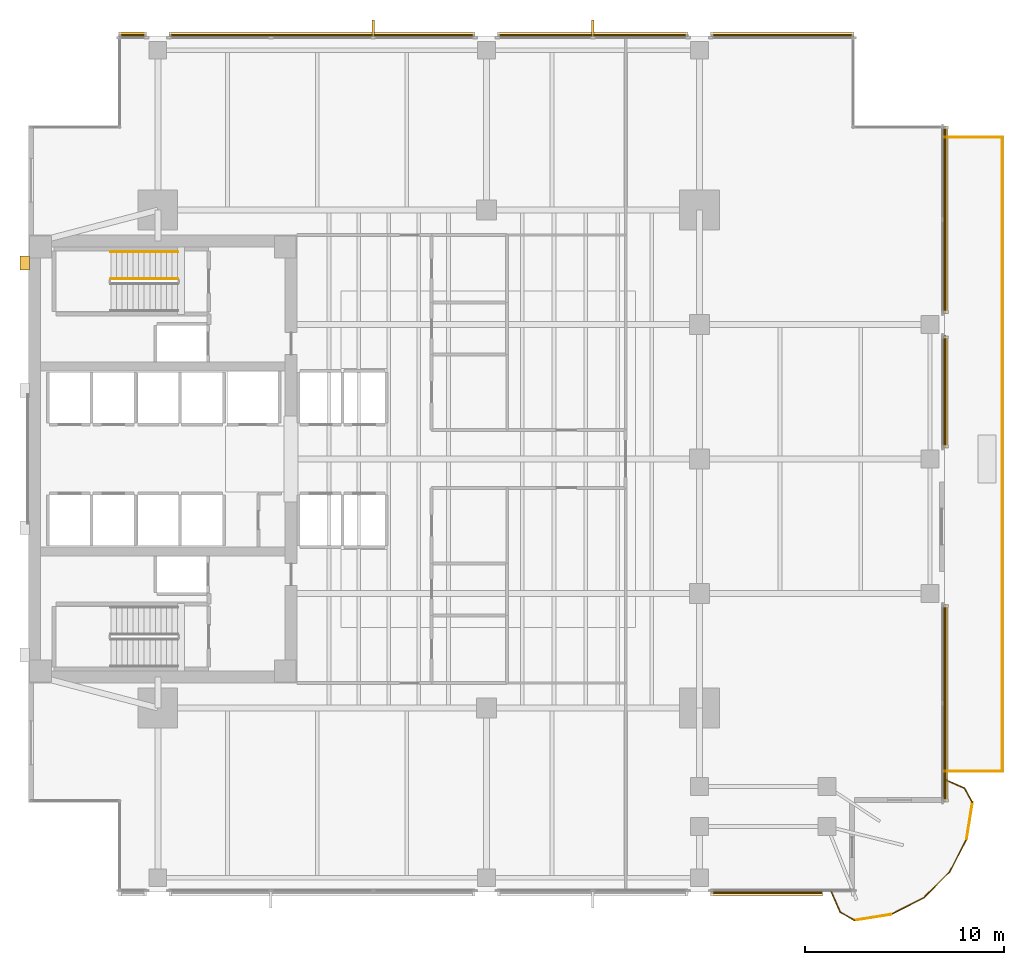
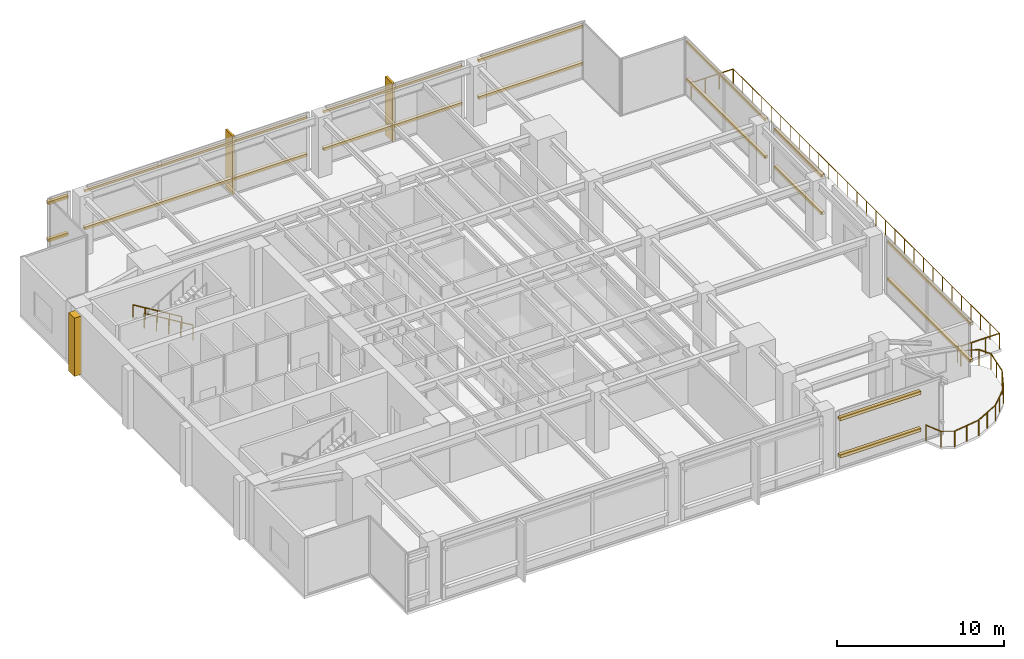
# One storey, part 14 of 14: 19 coverings, 16 shading devices, 14 railings.
"""IFC4 building model written with IfcOpenShell, lengths in metres."""

from ifc_helpers import new_model, si_unit, direction, frame, origin, origin_2d, place, context, subcontext, project, spatial, polyline, rectangle, circle, outline, extrude, material, layer, layer_set, material_profile, profile_set, type_object, element, save


model = new_model("IFC4")

# Units and contexts
model_context = context("Model", 3, precision=1e-05, world=origin(), true_north=direction((0.0, 1.0)))
body_context = subcontext(model_context, "Body", "Model", "MODEL_VIEW")
ifc_project = project(units=[si_unit("LENGTHUNIT", "METRE"), si_unit("AREAUNIT", "SQUARE_METRE"), si_unit("VOLUMEUNIT", "CUBIC_METRE"), si_unit("PLANEANGLEUNIT", "RADIAN"), si_unit("MASSUNIT", "GRAM", prefix="KILO")], contexts=[model_context])

# Site, building, storey
site_placement = place(None, origin())
site = spatial("IfcSite", under=ifc_project, at=site_placement, CompositionType="ELEMENT")
building_placement = place(site_placement, origin())
building = spatial("IfcBuilding", under=site, at=building_placement, Name="Kinhvarn Gate Tower", CompositionType="ELEMENT")
storey_placement = place(building_placement, frame((0.0, 0.0, 97.85009765625)))
storey = spatial("IfcBuildingStorey", under=building, at=storey_placement, Name="L25", CompositionType="ELEMENT", Elevation=97.85009765625)

# Coverings
ifc_material_1 = material(Name="Fired architectural terracotta", Category="masonry")
ifc_layer_1 = layer(ifc_material_1, 0.239990234375)
ifc_layer_set_1 = layer_set([ifc_layer_1], Name="Fired architectural terracotta")
covering_type_1 = type_object("IfcCoveringType", Name="COV-BAG-220", PredefinedType="CLADDING", material=ifc_layer_set_1)
for number, where, name in (
    (1, (0.0, 0.0, 0.93994140625), "Terracotta Horizontal Sunscreen Band TBG-220 (L25)"),
    (2, (0.0, 0.0, 3.659912109375), "Terracotta Horizontal Sunscreen Band TBG-220 (L25)"),
):
    element("IfcCovering", number, at=place(storey_placement, frame(where)), inside=storey, type_object=covering_type_1, Name=name, PredefinedType="CLADDING", context=body_context, shape_type="SweptSolid", body=[
        extrude(outline(polyline([(38.77001953125, 3.5400390625), (44.37890625, 3.5400390625), (44.37890625, 3.300048828125), (38.77001953125, 3.300048828125), (38.77001953125, 3.5400390625)])), origin(), (0.0, 0.0, 1.0), 0.219970703125),
    ])
for number, where, name in (
    (3, (0.0, 0.0, 0.93994140625), "Terracotta Horizontal Sunscreen Band TBG-220 (L25)"),
    (4, (0.0, 0.0, 3.659912109375), "Terracotta Horizontal Sunscreen Band TBG-220 (L25)"),
):
    element("IfcCovering", number, at=place(storey_placement, frame(where)), inside=storey, type_object=covering_type_1, Name=name, PredefinedType="CLADDING", context=body_context, shape_type="SweptSolid", body=[
        extrude(outline(polyline([(45.9599609375, 46.4599609375), (38.77001953125, 46.4599609375), (38.77001953125, 46.699951171875), (45.9599609375, 46.699951171875), (45.9599609375, 46.4599609375)])), origin(), (0.0, 0.0, 1.0), 0.219970703125),
    ])
for number, where, name in (
    (5, (0.0, 0.0, 0.93994140625), "Terracotta Horizontal Sunscreen Band TBG-220 (L25)"),
    (6, (0.0, 0.0, 3.659912109375), "Terracotta Horizontal Sunscreen Band TBG-220 (L25)"),
):
    element("IfcCovering", number, at=place(storey_placement, frame(where)), inside=storey, type_object=covering_type_1, Name=name, PredefinedType="CLADDING", context=body_context, shape_type="SweptSolid", body=[
        extrude(outline(polyline([(37.6298828125, 46.4599609375), (28.070068359375, 46.4599609375), (28.070068359375, 46.699951171875), (37.6298828125, 46.699951171875), (37.6298828125, 46.4599609375)])), origin(), (0.0, 0.0, 1.0), 0.219970703125),
    ])
for number, where, name in (
    (7, (0.0, 0.0, 0.93994140625), "Terracotta Horizontal Sunscreen Band TBG-220 (L25)"),
    (8, (0.0, 0.0, 3.659912109375), "Terracotta Horizontal Sunscreen Band TBG-220 (L25)"),
):
    element("IfcCovering", number, at=place(storey_placement, frame(where)), inside=storey, type_object=covering_type_1, Name=name, PredefinedType="CLADDING", context=body_context, shape_type="SweptSolid", body=[
        extrude(outline(polyline([(26.929931640625, 46.4599609375), (11.570068359375, 46.4599609375), (11.570068359375, 46.699951171875), (26.929931640625, 46.699951171875), (26.929931640625, 46.4599609375)])), origin(), (0.0, 0.0, 1.0), 0.219970703125),
    ])
for number, where, name in (
    (9, (0.0, 0.0, 0.93994140625), "Terracotta Horizontal Sunscreen Band TBG-220 (L25)"),
    (10, (0.0, 0.0, 3.659912109375), "Terracotta Horizontal Sunscreen Band TBG-220 (L25)"),
):
    element("IfcCovering", number, at=place(storey_placement, frame(where)), inside=storey, type_object=covering_type_1, Name=name, PredefinedType="CLADDING", context=body_context, shape_type="SweptSolid", body=[
        extrude(outline(polyline([(10.429931640625, 46.4599609375), (9.0400390625, 46.4599609375), (9.0400390625, 46.699951171875), (10.429931640625, 46.699951171875), (10.429931640625, 46.4599609375)])), origin(), (0.0, 0.0, 1.0), 0.219970703125),
    ])
for number, where, name in (
    (11, (0.0, 0.0, 0.93994140625), "Terracotta Horizontal Sunscreen Band TBG-220 (L25)"),
    (12, (0.0, 0.0, 3.659912109375), "Terracotta Horizontal Sunscreen Band TBG-220 (L25)"),
):
    element("IfcCovering", number, at=place(storey_placement, frame(where)), inside=storey, type_object=covering_type_1, Name=name, PredefinedType="CLADDING", context=body_context, shape_type="SweptSolid", body=[
        extrude(outline(polyline([(50.4599609375, 8.0400390625), (50.4599609375, 17.929931640625), (50.699951171875, 17.929931640625), (50.699951171875, 8.0400390625), (50.4599609375, 8.0400390625)])), origin(), (0.0, 0.0, 1.0), 0.219970703125),
    ])
for number, where, name in (
    (13, (0.0, 0.0, 0.93994140625), "Terracotta Horizontal Sunscreen Band TBG-220 (L25)"),
    (14, (0.0, 0.0, 3.659912109375), "Terracotta Horizontal Sunscreen Band TBG-220 (L25)"),
):
    element("IfcCovering", number, at=place(storey_placement, frame(where)), inside=storey, type_object=covering_type_1, Name=name, PredefinedType="CLADDING", context=body_context, shape_type="SweptSolid", body=[
        extrude(outline(polyline([(50.4599609375, 25.820068359375), (50.4599609375, 31.429931640625), (50.699951171875, 31.429931640625), (50.699951171875, 25.820068359375), (50.4599609375, 25.820068359375)])), origin(), (0.0, 0.0, 1.0), 0.219970703125),
    ])
for number, where, name in (
    (15, (0.0, 0.0, 0.93994140625), "Terracotta Horizontal Sunscreen Band TBG-220 (L25)"),
    (16, (0.0, 0.0, 3.659912109375), "Terracotta Horizontal Sunscreen Band TBG-220 (L25)"),
):
    element("IfcCovering", number, at=place(storey_placement, frame(where)), inside=storey, type_object=covering_type_1, Name=name, PredefinedType="CLADDING", context=body_context, shape_type="SweptSolid", body=[
        extrude(outline(polyline([(50.4599609375, 32.570068359375), (50.4599609375, 41.9599609375), (50.699951171875, 41.9599609375), (50.699951171875, 32.570068359375), (50.4599609375, 32.570068359375)])), origin(), (0.0, 0.0, 1.0), 0.219970703125),
    ])
ifc_layer_2 = layer(ifc_material_1, 0.139892578125)
ifc_layer_set_2 = layer_set([ifc_layer_2], Name="Fired architectural terracotta")
covering_type_2 = type_object("IfcCoveringType", Name="COV-FIN-850", PredefinedType="CLADDING", material=ifc_layer_set_2)
covering_1_placement = place(storey_placement, frame((0.0, 0.0, -0.02001953125)))
element("IfcCovering", 17, at=covering_1_placement, inside=storey, type_object=covering_type_2, Name="Vertical Terracotta Expressive Fin TFN-850 (L25)", PredefinedType="CLADDING", context=body_context, shape_type="SweptSolid", body=[
    extrude(outline(polyline([(32.919921875, 46.449951171875), (32.780029296875, 46.449951171875), (32.780029296875, 47.300048828125), (32.919921875, 47.300048828125), (32.919921875, 46.449951171875)])), origin(), (0.0, 0.0, 1.0), 4.260009765625),
])
covering_2_placement = place(storey_placement, frame((0.0, 0.0, -0.02001953125)))
element("IfcCovering", 18, at=covering_2_placement, inside=storey, type_object=covering_type_2, Name="Vertical Terracotta Expressive Fin TFN-850 (L25)", PredefinedType="CLADDING", context=body_context, shape_type="SweptSolid", body=[
    extrude(outline(polyline([(21.893310546875, 46.449951171875), (21.75341796875, 46.449951171875), (21.75341796875, 47.300048828125), (21.893310546875, 47.300048828125), (21.893310546875, 46.449951171875)])), origin(), (0.0, 0.0, 1.0), 4.260009765625),
])
ifc_material_2 = material(Name="Precast white architectural concrete C40/50", Category="concrete")
ifc_layer_3 = layer(ifc_material_2, 0.47998046875)
ifc_layer_set_3 = layer_set([ifc_layer_3], Name="Precast white architectural concrete C40/50")
covering_type_3 = type_object("IfcCoveringType", Name="COV-RIB-450", PredefinedType="CLADDING", material=ifc_layer_set_3)
covering_3_placement = place(storey_placement, frame((0.0, 0.0, -0.02001953125)))
element("IfcCovering", 19, at=covering_3_placement, inside=storey, type_object=covering_type_3, Name="West Core Sculptural Concrete Relief Rib CRB-450 (L25)", PredefinedType="CLADDING", context=body_context, shape_type="SweptSolid", body=[
    extrude(outline(polyline([(4.080078125, 34.75), (4.56005859375, 34.75), (4.56005859375, 35.449951171875), (4.080078125, 35.449951171875), (4.080078125, 34.75)])), origin(), (0.0, 0.0, 1.0), 4.260009765625),
])

# Railings
ifc_material_3 = material(Name="Clear low-e double glazing", Category="glass")
railing_type_1 = type_object("IfcRailingType", Name="RL-BAL-1150", PredefinedType="BALUSTRADE", material=ifc_material_3)
railing_1_placement = place(storey_placement, frame((44.8291015625, 3.5, 0.0)))
element("IfcRailing", 20, at=railing_1_placement, inside=storey, type_object=railing_type_1, Name="S-Carve Balcony Guardrail Seg 1 (L25)", PredefinedType="BALUSTRADE", context=body_context, shape_type="SweptSolid", body=[
    extrude(circle(Radius=0.02392578125, at=origin_2d()), frame((0.0, 0.0, 1.1259765625), z_axis=(0.404732060423, -0.914435322626, 0.0), x_axis=(0.914435322626, 0.404732060423, 0.0)), (0.0, 0.0, 1.0), 1.11181640625),
    extrude(circle(Radius=0.02099609375, at=origin_2d()), origin(), (0.0, 0.0, 1.0), 1.101806640625),
    extrude(circle(Radius=0.02099609375, at=origin_2d()), frame((0.449951171875, -1.0166015625, 0.0)), (0.0, 0.0, 1.0), 1.101806640625),
])
railing_2_placement = place(storey_placement, frame((45.279052734375, 2.4833984375, 0.0)))
element("IfcRailing", 21, at=railing_2_placement, inside=storey, type_object=railing_type_1, Name="S-Carve Balcony Guardrail Seg 2 (L25)", PredefinedType="BALUSTRADE", context=body_context, shape_type="SweptSolid", body=[
    extrude(circle(Radius=0.02392578125, at=origin_2d()), frame((0.0, 0.0, 1.1259765625), z_axis=(0.876735679428, -0.480972502768, 0.0), x_axis=(0.480972502768, 0.876735679428, 0.0)), (0.0, 0.0, 1.0), 0.822265625),
    extrude(circle(Radius=0.02099609375, at=origin_2d()), origin(), (0.0, 0.0, 1.0), 1.101806640625),
    extrude(circle(Radius=0.02099609375, at=origin_2d()), frame((0.720947265625, -0.3955078125, 0.0)), (0.0, 0.0, 1.0), 1.101806640625),
])
railing_3_placement = place(storey_placement, frame((46.0, 2.087890625, 0.0)))
element("IfcRailing", 22, at=railing_3_placement, inside=storey, type_object=railing_type_1, Name="S-Carve Balcony Guardrail Seg 3 (L25)", PredefinedType="BALUSTRADE", context=body_context, shape_type="SweptSolid", body=[
    extrude(circle(Radius=0.02392578125, at=origin_2d()), frame((0.0, 0.0, 1.1259765625), z_axis=(0.987671832099, 0.156538660012, 0.0), x_axis=(-0.156538660012, 0.987671832099, 0.0)), (0.0, 0.0, 1.0), 1.849609375),
    extrude(circle(Radius=0.02099609375, at=origin_2d()), origin(), (0.0, 0.0, 1.0), 1.101806640625),
    extrude(circle(Radius=0.02099609375, at=origin_2d()), frame((0.91357421875, 0.144775390625, 0.0)), (0.0, 0.0, 1.0), 1.101806640625),
    extrude(circle(Radius=0.02099609375, at=origin_2d()), frame((1.826904296875, 0.28955078125, 0.0)), (0.0, 0.0, 1.0), 1.101806640625),
])
railing_4_placement = place(storey_placement, frame((47.826904296875, 2.37744140625, 0.0)))
element("IfcRailing", 23, at=railing_4_placement, inside=storey, type_object=railing_type_1, Name="S-Carve Balcony Guardrail Seg 4 (L25)", PredefinedType="BALUSTRADE", context=body_context, shape_type="SweptSolid", body=[
    extrude(circle(Radius=0.02392578125, at=origin_2d()), frame((0.0, 0.0, 1.1259765625), z_axis=(0.891049569196, 0.453906009253, 0.0), x_axis=(-0.453906009253, 0.891049569196, 0.0)), (0.0, 0.0, 1.0), 1.849609375),
    extrude(circle(Radius=0.02099609375, at=origin_2d()), origin(), (0.0, 0.0, 1.0), 1.101806640625),
    extrude(circle(Radius=0.02099609375, at=origin_2d()), frame((0.82421875, 0.419921875, 0.0)), (0.0, 0.0, 1.0), 1.101806640625),
    extrude(circle(Radius=0.02099609375, at=origin_2d()), frame((1.648193359375, 0.839599609375, 0.0)), (0.0, 0.0, 1.0), 1.101806640625),
])
railing_5_placement = place(storey_placement, frame((49.47509765625, 3.217041015625, 0.0)))
element("IfcRailing", 24, at=railing_5_placement, inside=storey, type_object=railing_type_1, Name="S-Carve Balcony Guardrail Seg 5 (L25)", PredefinedType="BALUSTRADE", context=body_context, shape_type="SweptSolid", body=[
    extrude(circle(Radius=0.02392578125, at=origin_2d()), frame((0.0, 0.0, 1.1259765625), z_axis=(0.707106781187, 0.707106781187, 0.0), x_axis=(-0.707106781187, 0.707106781187, 0.0)), (0.0, 0.0, 1.0), 1.849609375),
    extrude(circle(Radius=0.02099609375, at=origin_2d()), origin(), (0.0, 0.0, 1.0), 1.101806640625),
    extrude(circle(Radius=0.02099609375, at=origin_2d()), frame((0.65380859375, 0.65380859375, 0.0)), (0.0, 0.0, 1.0), 1.101806640625),
    extrude(circle(Radius=0.02099609375, at=origin_2d()), frame((1.307861328125, 1.307861328125, 0.0)), (0.0, 0.0, 1.0), 1.101806640625),
])
railing_6_placement = place(storey_placement, frame((50.782958984375, 4.52490234375, 0.0)))
element("IfcRailing", 25, at=railing_6_placement, inside=storey, type_object=railing_type_1, Name="S-Carve Balcony Guardrail Seg 6 (L25)", PredefinedType="BALUSTRADE", context=body_context, shape_type="SweptSolid", body=[
    extrude(circle(Radius=0.02392578125, at=origin_2d()), frame((0.0, 0.0, 1.1259765625), z_axis=(0.453906009253, 0.891049569196, 0.0), x_axis=(-0.891049569196, 0.453906009253, 0.0)), (0.0, 0.0, 1.0), 1.849609375),
    extrude(circle(Radius=0.02099609375, at=origin_2d()), origin(), (0.0, 0.0, 1.0), 1.101806640625),
    extrude(circle(Radius=0.02099609375, at=origin_2d()), frame((0.419921875, 0.82421875, 0.0)), (0.0, 0.0, 1.0), 1.101806640625),
    extrude(circle(Radius=0.02099609375, at=origin_2d()), frame((0.839599609375, 1.648193359375, 0.0)), (0.0, 0.0, 1.0), 1.101806640625),
])
railing_7_placement = place(storey_placement, frame((51.62255859375, 6.173095703125, 0.0)))
element("IfcRailing", 26, at=railing_7_placement, inside=storey, type_object=railing_type_1, Name="S-Carve Balcony Guardrail Seg 7 (L25)", PredefinedType="BALUSTRADE", context=body_context, shape_type="SweptSolid", body=[
    extrude(circle(Radius=0.02392578125, at=origin_2d()), frame((0.0, 0.0, 1.1259765625), z_axis=(0.156538660012, 0.987671832099, 0.0), x_axis=(-0.987671832099, 0.156538660012, 0.0)), (0.0, 0.0, 1.0), 1.849609375),
    extrude(circle(Radius=0.02099609375, at=origin_2d()), origin(), (0.0, 0.0, 1.0), 1.101806640625),
    extrude(circle(Radius=0.02099609375, at=origin_2d()), frame((0.144775390625, 0.91357421875, 0.0)), (0.0, 0.0, 1.0), 1.101806640625),
    extrude(circle(Radius=0.02099609375, at=origin_2d()), frame((0.28955078125, 1.826904296875, 0.0)), (0.0, 0.0, 1.0), 1.101806640625),
])
railing_8_placement = place(storey_placement, frame((51.912109375, 8.0, 0.0)))
element("IfcRailing", 27, at=railing_8_placement, inside=storey, type_object=railing_type_1, Name="S-Carve Balcony Guardrail Seg 8 (L25)", PredefinedType="BALUSTRADE", context=body_context, shape_type="SweptSolid", body=[
    extrude(circle(Radius=0.02392578125, at=origin_2d()), frame((0.0, 0.0, 1.1259765625), z_axis=(-0.480972502768, 0.876735679428, 0.0), x_axis=(-0.876735679428, -0.480972502768, 0.0)), (0.0, 0.0, 1.0), 0.822265625),
    extrude(circle(Radius=0.02099609375, at=origin_2d()), origin(), (0.0, 0.0, 1.0), 1.101806640625),
    extrude(circle(Radius=0.02099609375, at=origin_2d()), frame((-0.3955078125, 0.720947265625, 0.0)), (0.0, 0.0, 1.0), 1.101806640625),
])
railing_9_placement = place(storey_placement, frame((51.5166015625, 8.720947265625, 0.0)))
element("IfcRailing", 28, at=railing_9_placement, inside=storey, type_object=railing_type_1, Name="S-Carve Balcony Guardrail Seg 9 (L25)", PredefinedType="BALUSTRADE", context=body_context, shape_type="SweptSolid", body=[
    extrude(circle(Radius=0.02392578125, at=origin_2d()), frame((0.0, 0.0, 1.1259765625), z_axis=(-0.914435322626, 0.404732060423, 0.0), x_axis=(-0.404732060423, -0.914435322626, 0.0)), (0.0, 0.0, 1.0), 1.11181640625),
    extrude(circle(Radius=0.02099609375, at=origin_2d()), origin(), (0.0, 0.0, 1.0), 1.101806640625),
    extrude(circle(Radius=0.02099609375, at=origin_2d()), frame((-1.0166015625, 0.449951171875, 0.0)), (0.0, 0.0, 1.0), 1.101806640625),
])
ifc_material_4 = material(Name="Steel S355", Category="steel")
railing_type_2 = type_object("IfcRailingType", Name="RL-ST-GRD", PredefinedType="BALUSTRADE", material=ifc_material_4)
railing_10_placement = place(storey_placement, frame((12.0, 34.300048828125, 0.169189453125)))
element("IfcRailing", 29, at=railing_10_placement, inside=storey, type_object=railing_type_2, Name="L25 ST2 stair guard 1", PredefinedType="BALUSTRADE", context=body_context, shape_type="SweptSolid", body=[
    extrude(circle(Radius=0.02392578125, at=origin_2d()), frame((0.0, 0.0, 1.076171875), z_axis=(-0.855836976705, 0.0, 0.517245656632), x_axis=(0.0, -1.0, 0.0)), (0.0, 0.0, 1.0), 3.926025390625),
    extrude(circle(Radius=0.02099609375, at=origin_2d()), origin(), (0.0, 0.0, 1.0), 1.052001953125),
    extrude(circle(Radius=0.02099609375, at=origin_2d()), frame((-0.840087890625, 0.0, 0.5078125)), (0.0, 0.0, 1.0), 1.052001953125),
    extrude(circle(Radius=0.02099609375, at=origin_2d()), frame((-1.68017578125, 0.0, 1.015380859375)), (0.0, 0.0, 1.0), 1.052001953125),
    extrude(circle(Radius=0.02099609375, at=origin_2d()), frame((-2.52001953125, 0.0, 1.52294921875)), (0.0, 0.0, 1.0), 1.052001953125),
    extrude(circle(Radius=0.02099609375, at=origin_2d()), frame((-3.360107421875, 0.0, 2.03076171875)), (0.0, 0.0, 1.0), 1.052001953125),
])
railing_type_3 = type_object("IfcRailingType", Name="RL-ST-HND", PredefinedType="HANDRAIL", material=ifc_material_4)
railing_11_placement = place(storey_placement, frame((12.0, 35.64990234375, 0.169189453125)))
element("IfcRailing", 30, at=railing_11_placement, inside=storey, type_object=railing_type_3, Name="L25 ST2 stair handrail 1", PredefinedType="HANDRAIL", context=body_context, shape_type="SweptSolid", body=[
    extrude(circle(Radius=0.02392578125, at=origin_2d()), frame((0.0, 0.0, 0.8759765625), z_axis=(-0.855836976705, 0.0, 0.517245656632), x_axis=(0.0, -1.0, 0.0)), (0.0, 0.0, 1.0), 3.926025390625),
    extrude(circle(Radius=0.02099609375, at=origin_2d()), origin(), (0.0, 0.0, 1.0), 0.851806640625),
    extrude(circle(Radius=0.02099609375, at=origin_2d()), frame((-0.840087890625, 0.0, 0.5078125)), (0.0, 0.0, 1.0), 0.851806640625),
    extrude(circle(Radius=0.02099609375, at=origin_2d()), frame((-1.68017578125, 0.0, 1.015380859375)), (0.0, 0.0, 1.0), 0.851806640625),
    extrude(circle(Radius=0.02099609375, at=origin_2d()), frame((-2.52001953125, 0.0, 1.52294921875)), (0.0, 0.0, 1.0), 0.851806640625),
    extrude(circle(Radius=0.02099609375, at=origin_2d()), frame((-3.360107421875, 0.0, 2.03076171875)), (0.0, 0.0, 1.0), 0.851806640625),
])
railing_type_4 = type_object("IfcRailingType", Name="RL-TER-1150", PredefinedType="BALUSTRADE", material=ifc_material_3)
railing_12_placement = place(storey_placement, frame((50.52001953125, 9.580078125, 0.0)))
element("IfcRailing", 31, at=railing_12_placement, inside=storey, type_object=railing_type_4, Name="Low-Mid Sky-Lobby Setback Terrace Guardrail Seg 1 (L25)", PredefinedType="BALUSTRADE", context=body_context, shape_type="SweptSolid", body=[
    extrude(circle(Radius=0.02392578125, at=origin_2d()), frame((0.0, 0.0, 1.1259765625), z_axis=(1.0, 0.0, 0.0), x_axis=(0.0, 1.0, 0.0)), (0.0, 0.0, 1.0), 2.89990234375),
    extrude(circle(Radius=0.02099609375, at=origin_2d()), origin(), (0.0, 0.0, 1.0), 1.101806640625),
    extrude(circle(Radius=0.02099609375, at=origin_2d()), frame((0.966552734375, 0.0, 0.0)), (0.0, 0.0, 1.0), 1.101806640625),
    extrude(circle(Radius=0.02099609375, at=origin_2d()), frame((1.933349609375, 0.0, 0.0)), (0.0, 0.0, 1.0), 1.101806640625),
    extrude(circle(Radius=0.02099609375, at=origin_2d()), frame((2.89990234375, 0.0, 0.0)), (0.0, 0.0, 1.0), 1.101806640625),
])
railing_13_placement = place(storey_placement, frame((53.419921875, 9.580078125, 0.0)))
element("IfcRailing", 32, at=railing_13_placement, inside=storey, type_object=railing_type_4, Name="Low-Mid Sky-Lobby Setback Terrace Guardrail Seg 2 (L25)", PredefinedType="BALUSTRADE", context=body_context, shape_type="SweptSolid", body=[
    extrude(circle(Radius=0.02392578125, at=origin_2d()), frame((0.0, 0.0, 1.1259765625), z_axis=(0.0, 1.0, 0.0), x_axis=(-1.0, 0.0, 0.0)), (0.0, 0.0, 1.0), 31.83984375),
    extrude(circle(Radius=0.02099609375, at=origin_2d()), origin(), (0.0, 0.0, 1.0), 1.101806640625),
    extrude(circle(Radius=0.02099609375, at=origin_2d()), frame((0.0, 1.13720703125, 0.0)), (0.0, 0.0, 1.0), 1.101806640625),
    extrude(circle(Radius=0.02099609375, at=origin_2d()), frame((0.0, 2.274169921875, 0.0)), (0.0, 0.0, 1.0), 1.101806640625),
    extrude(circle(Radius=0.02099609375, at=origin_2d()), frame((0.0, 3.411376953125, 0.0)), (0.0, 0.0, 1.0), 1.101806640625),
    extrude(circle(Radius=0.02099609375, at=origin_2d()), frame((0.0, 4.548583984375, 0.0)), (0.0, 0.0, 1.0), 1.101806640625),
    extrude(circle(Radius=0.02099609375, at=origin_2d()), frame((0.0, 5.685791015625, 0.0)), (0.0, 0.0, 1.0), 1.101806640625),
    extrude(circle(Radius=0.02099609375, at=origin_2d()), frame((0.0, 6.82275390625, 0.0)), (0.0, 0.0, 1.0), 1.101806640625),
    extrude(circle(Radius=0.02099609375, at=origin_2d()), frame((0.0, 7.9599609375, 0.0)), (0.0, 0.0, 1.0), 1.101806640625),
    extrude(circle(Radius=0.02099609375, at=origin_2d()), frame((0.0, 9.09716796875, 0.0)), (0.0, 0.0, 1.0), 1.101806640625),
    extrude(circle(Radius=0.02099609375, at=origin_2d()), frame((0.0, 10.234130859375, 0.0)), (0.0, 0.0, 1.0), 1.101806640625),
    extrude(circle(Radius=0.02099609375, at=origin_2d()), frame((0.0, 11.371337890625, 0.0)), (0.0, 0.0, 1.0), 1.101806640625),
    extrude(circle(Radius=0.02099609375, at=origin_2d()), frame((0.0, 12.508544921875, 0.0)), (0.0, 0.0, 1.0), 1.101806640625),
    extrude(circle(Radius=0.02099609375, at=origin_2d()), frame((0.0, 13.645751953125, 0.0)), (0.0, 0.0, 1.0), 1.101806640625),
    extrude(circle(Radius=0.02099609375, at=origin_2d()), frame((0.0, 14.78271484375, 0.0)), (0.0, 0.0, 1.0), 1.101806640625),
    extrude(circle(Radius=0.02099609375, at=origin_2d()), frame((0.0, 15.919921875, 0.0)), (0.0, 0.0, 1.0), 1.101806640625),
    extrude(circle(Radius=0.02099609375, at=origin_2d()), frame((0.0, 17.05712890625, 0.0)), (0.0, 0.0, 1.0), 1.101806640625),
    extrude(circle(Radius=0.02099609375, at=origin_2d()), frame((0.0, 18.194091796875, 0.0)), (0.0, 0.0, 1.0), 1.101806640625),
    extrude(circle(Radius=0.02099609375, at=origin_2d()), frame((0.0, 19.331298828125, 0.0)), (0.0, 0.0, 1.0), 1.101806640625),
    extrude(circle(Radius=0.02099609375, at=origin_2d()), frame((0.0, 20.468505859375, 0.0)), (0.0, 0.0, 1.0), 1.101806640625),
    extrude(circle(Radius=0.02099609375, at=origin_2d()), frame((0.0, 21.605712890625, 0.0)), (0.0, 0.0, 1.0), 1.101806640625),
    extrude(circle(Radius=0.02099609375, at=origin_2d()), frame((0.0, 22.74267578125, 0.0)), (0.0, 0.0, 1.0), 1.101806640625),
    extrude(circle(Radius=0.02099609375, at=origin_2d()), frame((0.0, 23.8798828125, 0.0)), (0.0, 0.0, 1.0), 1.101806640625),
    extrude(circle(Radius=0.02099609375, at=origin_2d()), frame((0.0, 25.01708984375, 0.0)), (0.0, 0.0, 1.0), 1.101806640625),
    extrude(circle(Radius=0.02099609375, at=origin_2d()), frame((0.0, 26.154052734375, 0.0)), (0.0, 0.0, 1.0), 1.101806640625),
    extrude(circle(Radius=0.02099609375, at=origin_2d()), frame((0.0, 27.291259765625, 0.0)), (0.0, 0.0, 1.0), 1.101806640625),
    extrude(circle(Radius=0.02099609375, at=origin_2d()), frame((0.0, 28.428466796875, 0.0)), (0.0, 0.0, 1.0), 1.101806640625),
    extrude(circle(Radius=0.02099609375, at=origin_2d()), frame((0.0, 29.565673828125, 0.0)), (0.0, 0.0, 1.0), 1.101806640625),
    extrude(circle(Radius=0.02099609375, at=origin_2d()), frame((0.0, 30.70263671875, 0.0)), (0.0, 0.0, 1.0), 1.101806640625),
    extrude(circle(Radius=0.02099609375, at=origin_2d()), frame((0.0, 31.83984375, 0.0)), (0.0, 0.0, 1.0), 1.101806640625),
])
railing_14_placement = place(storey_placement, frame((53.419921875, 41.419921875, 0.0)))
element("IfcRailing", 33, at=railing_14_placement, inside=storey, type_object=railing_type_4, Name="Low-Mid Sky-Lobby Setback Terrace Guardrail Seg 3 (L25)", PredefinedType="BALUSTRADE", context=body_context, shape_type="SweptSolid", body=[
    extrude(circle(Radius=0.02392578125, at=origin_2d()), frame((0.0, 0.0, 1.1259765625), z_axis=(-1.0, 0.0, 0.0), x_axis=(0.0, -1.0, 0.0)), (0.0, 0.0, 1.0), 2.89990234375),
    extrude(circle(Radius=0.02099609375, at=origin_2d()), origin(), (0.0, 0.0, 1.0), 1.101806640625),
    extrude(circle(Radius=0.02099609375, at=origin_2d()), frame((-0.966552734375, 0.0, 0.0)), (0.0, 0.0, 1.0), 1.101806640625),
    extrude(circle(Radius=0.02099609375, at=origin_2d()), frame((-1.933349609375, 0.0, 0.0)), (0.0, 0.0, 1.0), 1.101806640625),
    extrude(circle(Radius=0.02099609375, at=origin_2d()), frame((-2.89990234375, 0.0, 0.0)), (0.0, 0.0, 1.0), 1.101806640625),
])

# Shading devices
ifc_material_profile = material_profile(ifc_material_1, rectangle(XDim=0.06005859375, YDim=0.139892578125, at=origin_2d()), Name="TC 60x140")
ifc_profile_set = profile_set([ifc_material_profile], Name="Fired architectural terracotta")
shading_device_type = type_object("IfcShadingDeviceType", Name="SHD-BAG-180", PredefinedType="USERDEFINED", material=ifc_profile_set)
for number, where, z_axis, x_axis, name in (
    (34, (38.77001953125, 3.465087890625, 1.0498046875), (1.0, 0.0, 0.0), (0.0, 1.0, 0.0), "Fired Terracotta Baguette Screen Rod 60x140 mm (L25)"),
    (35, (38.77001953125, 3.465087890625, 3.77001953125), (1.0, 0.0, 0.0), (0.0, 1.0, 0.0), "Fired Terracotta Baguette Screen Rod 60x140 mm (L25)"),
):
    element("IfcShadingDevice", number, at=place(storey_placement, frame(where, z_axis=z_axis, x_axis=x_axis)), inside=storey, type_object=shading_device_type, Name=name, ObjectType="BAGUETTE", PredefinedType="USERDEFINED", context=body_context, shape_type="SweptSolid", body=[
        extrude(rectangle(XDim=0.06005859375, YDim=0.139892578125, at=origin_2d()), origin(), (0.0, 0.0, 1.0), 5.60888671875),
    ])
for number, where, z_axis, x_axis, name in (
    (36, (45.9599609375, 46.534912109375, 1.0498046875), (-1.0, 0.0, 0.0), (0.0, -1.0, 0.0), "Fired Terracotta Baguette Screen Rod 60x140 mm (L25)"),
    (37, (45.9599609375, 46.534912109375, 3.77001953125), (-1.0, 0.0, 0.0), (0.0, -1.0, 0.0), "Fired Terracotta Baguette Screen Rod 60x140 mm (L25)"),
):
    element("IfcShadingDevice", number, at=place(storey_placement, frame(where, z_axis=z_axis, x_axis=x_axis)), inside=storey, type_object=shading_device_type, Name=name, ObjectType="BAGUETTE", PredefinedType="USERDEFINED", context=body_context, shape_type="SweptSolid", body=[
        extrude(rectangle(XDim=0.06005859375, YDim=0.139892578125, at=origin_2d()), origin(), (0.0, 0.0, 1.0), 7.18994140625),
    ])
for number, where, z_axis, x_axis, name in (
    (38, (37.6298828125, 46.534912109375, 1.0498046875), (-1.0, 0.0, 0.0), (0.0, -1.0, 0.0), "Fired Terracotta Baguette Screen Rod 60x140 mm (L25)"),
    (39, (37.6298828125, 46.534912109375, 3.77001953125), (-1.0, 0.0, 0.0), (0.0, -1.0, 0.0), "Fired Terracotta Baguette Screen Rod 60x140 mm (L25)"),
):
    element("IfcShadingDevice", number, at=place(storey_placement, frame(where, z_axis=z_axis, x_axis=x_axis)), inside=storey, type_object=shading_device_type, Name=name, ObjectType="BAGUETTE", PredefinedType="USERDEFINED", context=body_context, shape_type="SweptSolid", body=[
        extrude(rectangle(XDim=0.06005859375, YDim=0.139892578125, at=origin_2d()), origin(), (0.0, 0.0, 1.0), 9.559814453125),
    ])
for number, where, z_axis, x_axis, name in (
    (40, (26.929931640625, 46.534912109375, 1.0498046875), (-1.0, 0.0, 0.0), (0.0, -1.0, 0.0), "Fired Terracotta Baguette Screen Rod 60x140 mm (L25)"),
    (41, (26.929931640625, 46.534912109375, 3.77001953125), (-1.0, 0.0, 0.0), (0.0, -1.0, 0.0), "Fired Terracotta Baguette Screen Rod 60x140 mm (L25)"),
):
    element("IfcShadingDevice", number, at=place(storey_placement, frame(where, z_axis=z_axis, x_axis=x_axis)), inside=storey, type_object=shading_device_type, Name=name, ObjectType="BAGUETTE", PredefinedType="USERDEFINED", context=body_context, shape_type="SweptSolid", body=[
        extrude(rectangle(XDim=0.06005859375, YDim=0.139892578125, at=origin_2d()), origin(), (0.0, 0.0, 1.0), 15.35986328125),
    ])
for number, where, z_axis, x_axis, name in (
    (42, (10.429931640625, 46.534912109375, 1.0498046875), (-1.0, 0.0, 0.0), (0.0, -1.0, 0.0), "Fired Terracotta Baguette Screen Rod 60x140 mm (L25)"),
    (43, (10.429931640625, 46.534912109375, 3.77001953125), (-1.0, 0.0, 0.0), (0.0, -1.0, 0.0), "Fired Terracotta Baguette Screen Rod 60x140 mm (L25)"),
):
    element("IfcShadingDevice", number, at=place(storey_placement, frame(where, z_axis=z_axis, x_axis=x_axis)), inside=storey, type_object=shading_device_type, Name=name, ObjectType="BAGUETTE", PredefinedType="USERDEFINED", context=body_context, shape_type="SweptSolid", body=[
        extrude(rectangle(XDim=0.06005859375, YDim=0.139892578125, at=origin_2d()), origin(), (0.0, 0.0, 1.0), 1.389892578125),
    ])
for number, where, z_axis, x_axis, name in (
    (44, (50.534912109375, 8.0400390625, 1.0498046875), (0.0, 1.0, 0.0), (-1.0, 0.0, 0.0), "Fired Terracotta Baguette Screen Rod 60x140 mm (L25)"),
    (45, (50.534912109375, 8.0400390625, 3.77001953125), (0.0, 1.0, 0.0), (-1.0, 0.0, 0.0), "Fired Terracotta Baguette Screen Rod 60x140 mm (L25)"),
):
    element("IfcShadingDevice", number, at=place(storey_placement, frame(where, z_axis=z_axis, x_axis=x_axis)), inside=storey, type_object=shading_device_type, Name=name, ObjectType="BAGUETTE", PredefinedType="USERDEFINED", context=body_context, shape_type="SweptSolid", body=[
        extrude(rectangle(XDim=0.06005859375, YDim=0.139892578125, at=origin_2d()), origin(), (0.0, 0.0, 1.0), 9.889892578125),
    ])
for number, where, z_axis, x_axis, name in (
    (46, (50.534912109375, 25.820068359375, 1.0498046875), (0.0, 1.0, 0.0), (-1.0, 0.0, 0.0), "Fired Terracotta Baguette Screen Rod 60x140 mm (L25)"),
    (47, (50.534912109375, 25.820068359375, 3.77001953125), (0.0, 1.0, 0.0), (-1.0, 0.0, 0.0), "Fired Terracotta Baguette Screen Rod 60x140 mm (L25)"),
):
    element("IfcShadingDevice", number, at=place(storey_placement, frame(where, z_axis=z_axis, x_axis=x_axis)), inside=storey, type_object=shading_device_type, Name=name, ObjectType="BAGUETTE", PredefinedType="USERDEFINED", context=body_context, shape_type="SweptSolid", body=[
        extrude(rectangle(XDim=0.06005859375, YDim=0.139892578125, at=origin_2d()), origin(), (0.0, 0.0, 1.0), 5.60986328125),
    ])
for number, where, z_axis, x_axis, name in (
    (48, (50.534912109375, 32.570068359375, 1.0498046875), (0.0, 1.0, 0.0), (-1.0, 0.0, 0.0), "Fired Terracotta Baguette Screen Rod 60x140 mm (L25)"),
    (49, (50.534912109375, 32.570068359375, 3.77001953125), (0.0, 1.0, 0.0), (-1.0, 0.0, 0.0), "Fired Terracotta Baguette Screen Rod 60x140 mm (L25)"),
):
    element("IfcShadingDevice", number, at=place(storey_placement, frame(where, z_axis=z_axis, x_axis=x_axis)), inside=storey, type_object=shading_device_type, Name=name, ObjectType="BAGUETTE", PredefinedType="USERDEFINED", context=body_context, shape_type="SweptSolid", body=[
        extrude(rectangle(XDim=0.06005859375, YDim=0.139892578125, at=origin_2d()), origin(), (0.0, 0.0, 1.0), 9.389892578125),
    ])

save(model, "model.ifc")
